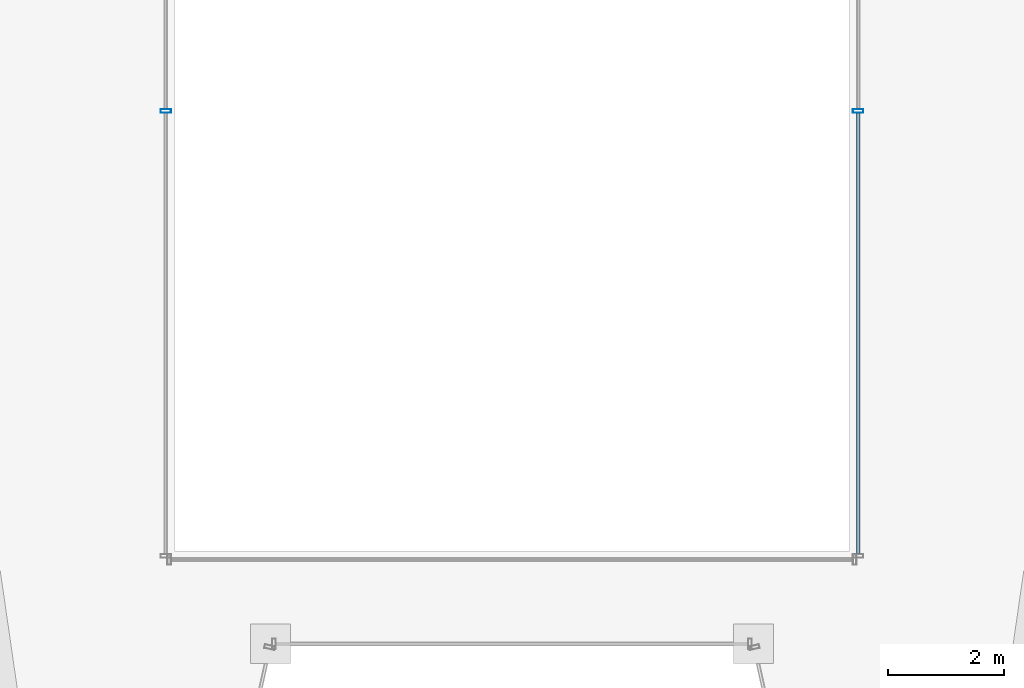
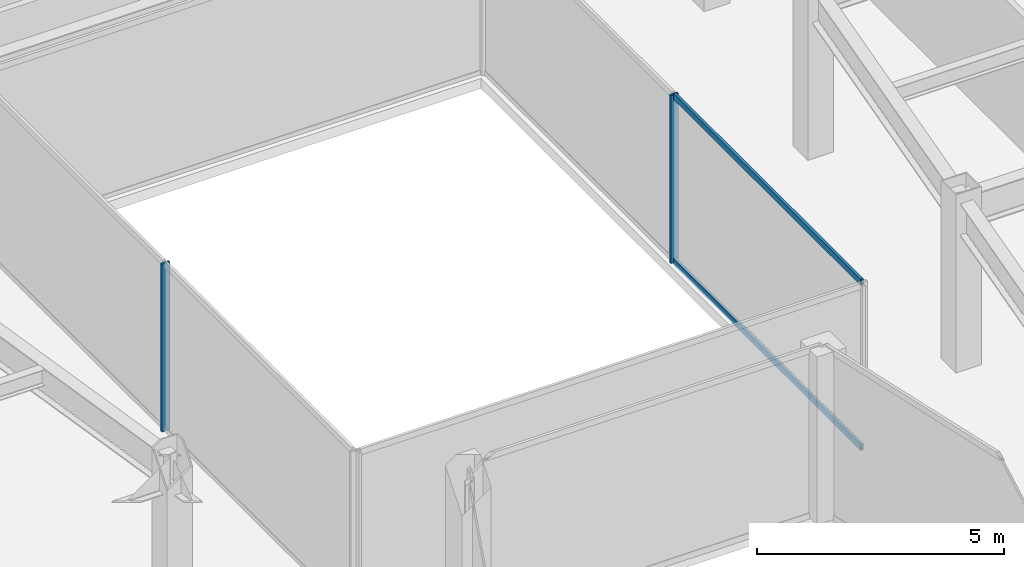
# One storey, part 11 of 37: 4 members, 2 elements without a shape of their own.
"""IFC4 building model written with IfcOpenShell, lengths in metres."""

from ifc_helpers import new_model, si_unit, direction, frame, origin, origin_2d, place, context, subcontext, project, spatial, hollow_rectangle, extrude, material, material_profile, profile_set, type_object, element, aggregate, save


model = new_model("IFC4")

# Units and contexts
model_context = context("Model", 3, precision=1e-05, world=origin(), true_north=direction((0.0, 1.0)))
body_context = subcontext(model_context, "Body", "Model", "MODEL_VIEW")
ifc_project = project(units=[si_unit("LENGTHUNIT", "METRE"), si_unit("AREAUNIT", "SQUARE_METRE"), si_unit("VOLUMEUNIT", "CUBIC_METRE"), si_unit("PLANEANGLEUNIT", "RADIAN"), si_unit("MASSUNIT", "GRAM", prefix="KILO")], contexts=[model_context])

# Site, building, storey
site_placement = place(None, origin())
site = spatial("IfcSite", under=ifc_project, at=site_placement, CompositionType="ELEMENT")
building_placement = place(site_placement, origin())
building = spatial("IfcBuilding", under=site, at=building_placement, Name="Saevonmaru Cultural Tower", CompositionType="ELEMENT")
storey_placement = place(building_placement, frame((0.0, 0.0, 106.0)))
storey = spatial("IfcBuildingStorey", under=building, at=storey_placement, Name="L22", CompositionType="ELEMENT", Elevation=106.0)

# Curtain wall, member
ifc_material = material(Name="Satin Bronze Anodised Aluminium", Category="aluminium")
curtain_wall_type = type_object("IfcCurtainWallType", Name="CW-ATR-GLZ", PredefinedType="NOTDEFINED", material=ifc_material)
curtain_wall_1_placement = place(storey_placement, origin())
curtain_wall_1 = element("IfcCurtainWall", 1, at=curtain_wall_1_placement, inside=storey, type_object=curtain_wall_type, Name="L22 Vertical Atrium Glazed Smoke Screen 2", PredefinedType="NOTDEFINED")
ifc_material_profile_1 = material_profile(ifc_material, hollow_rectangle(XDim=0.06494140625, YDim=0.179931640625, WallThickness=0.00390625, at=origin_2d()), Name="ALU-MULL-180x65x4")
ifc_profile_set_1 = profile_set([ifc_material_profile_1], Name="Satin Bronze Anodised Aluminium")
member_type_1 = type_object("IfcMemberType", Name="ML-CW-INT-180x65", PredefinedType="MULLION", material=ifc_profile_set_1)
member_1_placement = place(storey_placement, frame((35.949951171875, 29.9599609375, 0.0), z_axis=(0.0, 0.0, 1.0), x_axis=(0.0, 1.0, 0.0)))
member_1 = element("IfcMember", 2, at=member_1_placement, type_object=member_type_1, Name="CW-ATR-L22-2 mullion 2", PredefinedType="MULLION", context=body_context, shape_type="SweptSolid", body=[
    extrude(hollow_rectangle(XDim=0.06494140625, YDim=0.179931640625, WallThickness=0.00390625, at=origin_2d()), origin(), (0.0, 0.0, 1.0), 4.14990234375),
])

curtain_wall_2_placement = place(storey_placement, origin())
curtain_wall_2 = element("IfcCurtainWall", 3, at=curtain_wall_2_placement, inside=storey, type_object=curtain_wall_type, Name="L22 Vertical Atrium Glazed Smoke Screen 4", PredefinedType="NOTDEFINED")
member_2_placement = place(storey_placement, frame((24.050048828125, 29.9599609375, 0.0), z_axis=(0.0, 0.0, 1.0), x_axis=(0.0, -1.0, 0.0)))
member_2 = element("IfcMember", 4, at=member_2_placement, type_object=member_type_1, Name="CW-ATR-L22-4 mullion 2", PredefinedType="MULLION", context=body_context, shape_type="SweptSolid", body=[
    extrude(hollow_rectangle(XDim=0.06494140625, YDim=0.179931640625, WallThickness=0.00390625, at=origin_2d()), origin(), (0.0, 0.0, 1.0), 4.14990234375),
])
aggregate(curtain_wall_2, [member_2])

# Member
ifc_material_profile_2 = material_profile(ifc_material, hollow_rectangle(XDim=0.06494140625, YDim=0.14990234375, WallThickness=0.00390625, at=origin_2d()), Name="ALU-TRAN-150x65x4")
ifc_profile_set_2 = profile_set([ifc_material_profile_2], Name="Satin Bronze Anodised Aluminium")
member_type_2 = type_object("IfcMemberType", Name="TR-CW-INT-150x65", PredefinedType="USERDEFINED", material=ifc_profile_set_2)
member_3_placement = place(storey_placement, frame((35.949951171875, 22.342529296875, 0.032470703125), z_axis=(0.0, 1.0, 0.0), x_axis=(-1.0, 0.0, 0.0)))
member_3 = element("IfcMember", 5, at=member_3_placement, type_object=member_type_2, Name="CW-ATR-L22-2 transom 1.1", ObjectType="TRANSOM", PredefinedType="USERDEFINED", context=body_context, shape_type="SweptSolid", body=[
    extrude(hollow_rectangle(XDim=0.06494140625, YDim=0.14990234375, WallThickness=0.00390625, at=origin_2d()), origin(), (0.0, 0.0, 1.0), 7.5849609375),
])

member_4_placement = place(storey_placement, frame((35.949951171875, 22.342529296875, 4.117431640625), z_axis=(0.0, 1.0, 0.0), x_axis=(-1.0, 0.0, 0.0)))
member_4 = element("IfcMember", 6, at=member_4_placement, type_object=member_type_2, Name="CW-ATR-L22-2 transom 1.2", ObjectType="TRANSOM", PredefinedType="USERDEFINED", context=body_context, shape_type="SweptSolid", body=[
    extrude(hollow_rectangle(XDim=0.06494140625, YDim=0.14990234375, WallThickness=0.00390625, at=origin_2d()), origin(), (0.0, 0.0, 1.0), 7.5849609375),
])

aggregate(curtain_wall_1, [member_1, member_3, member_4])

save(model, "model.ifc")
